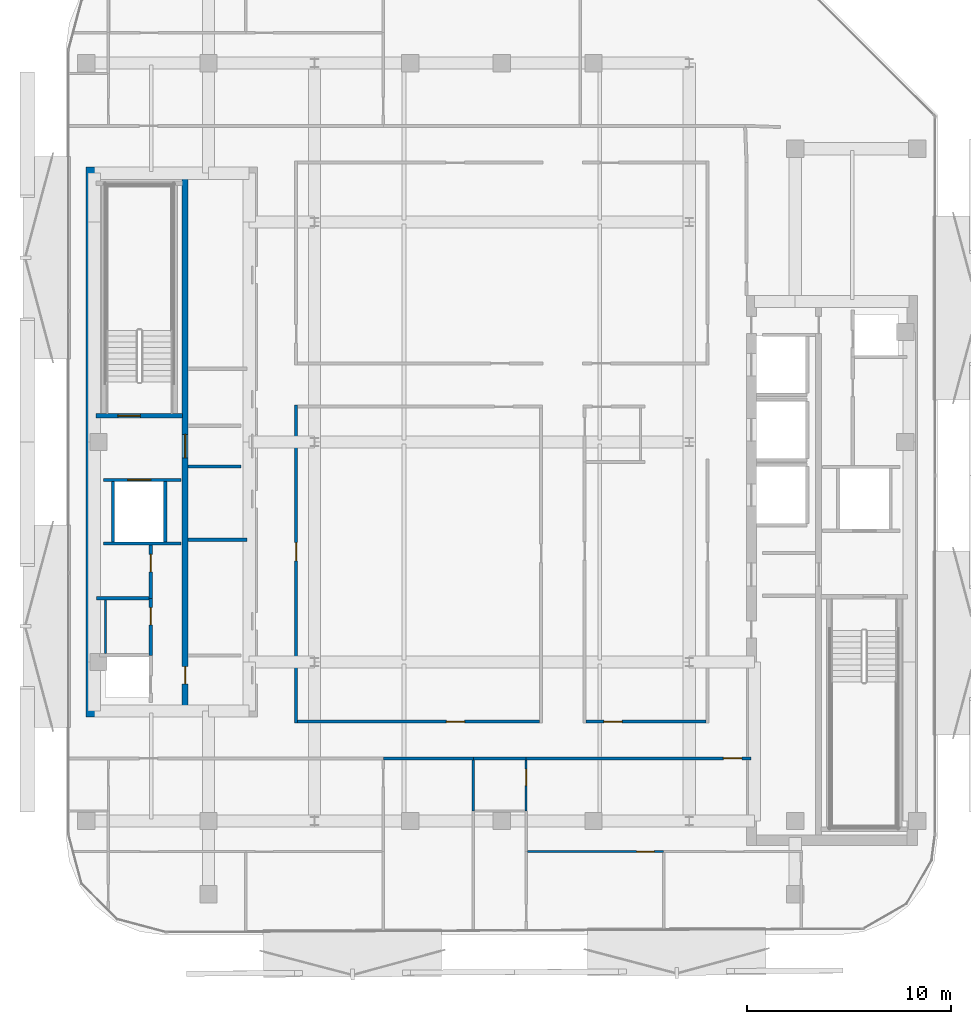
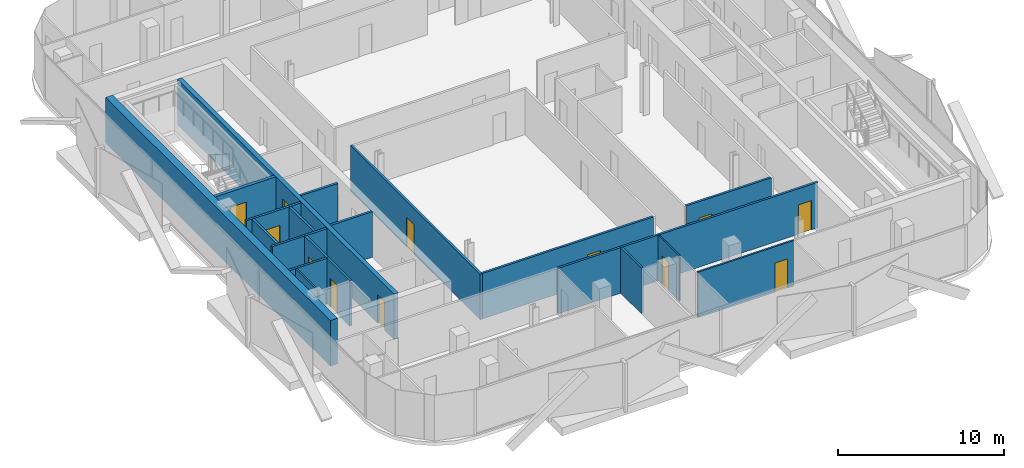
# One storey, part 3 of 15: 22 walls, 12 doors, 12 openings.
"""IFC4 building model written with IfcOpenShell, lengths in metres."""

from ifc_helpers import new_model, si_unit, direction, frame, frame_2d, origin, place, context, subcontext, project, spatial, rectangle, extrude, material, layer, layer_set, type_object, element, fill, save


model = new_model("IFC4")

# Units and contexts
model_context = context("Model", 3, precision=1e-05, world=origin(), true_north=direction((0.0, 1.0)))
body_context = subcontext(model_context, "Body", "Model", "MODEL_VIEW")
ifc_project = project(units=[si_unit("LENGTHUNIT", "METRE"), si_unit("AREAUNIT", "SQUARE_METRE"), si_unit("VOLUMEUNIT", "CUBIC_METRE"), si_unit("PLANEANGLEUNIT", "RADIAN"), si_unit("MASSUNIT", "GRAM", prefix="KILO")], contexts=[model_context])

# Site, building, storey
site_placement = place(None, origin())
site = spatial("IfcSite", under=ifc_project, at=site_placement, CompositionType="ELEMENT")
building_placement = place(site_placement, origin())
building = spatial("IfcBuilding", under=site, at=building_placement, Name="Khairoan Windgate Tower", CompositionType="ELEMENT")
storey_placement = place(building_placement, frame((0.0, 0.0, 265.60009765625)))
storey = spatial("IfcBuildingStorey", under=building, at=storey_placement, Name="L63", CompositionType="ELEMENT", Elevation=265.60009765625)

# Wall, opening, door
ifc_material_1 = material(Name="Moisture-Resistant Gypsum Partition", Category="gypsum")
ifc_layer_1 = layer(ifc_material_1, 0.10009765625, Name="Moisture-Resistant Gypsum Partition")
ifc_layer_set_1 = layer_set([ifc_layer_1], Name="Moisture-Resistant Gypsum Partition")
wall_type_1 = type_object("IfcWallType", Name="Bathroom Wet-Area Partition Wall", PredefinedType="PARTITIONING", material=ifc_layer_set_1)
wall_1_placement = place(storey_placement, frame((1.18994140625, -18.10009765625, 0.0), z_axis=(0.0, 0.0, 1.0), x_axis=(0.0, 1.0, 0.0)))
wall_1 = element("IfcWall", 1, at=wall_1_placement, inside=storey, type_object=wall_type_1, Name="L63 Interior Partition 058", PredefinedType="PARTITIONING", context=body_context, shape_type="SweptSolid", body=[
    extrude(rectangle(XDim=2.5, YDim=0.10009765625, at=frame_2d((1.25, 0.0))), origin(), (0.0, 0.0, 1.0), 3.33984375),
])
opening_1_placement = place(wall_1_placement, frame((1.239990234375, 0.0, 0.0)))
opening_1 = element("IfcOpeningElement", 2, at=opening_1_placement, cuts=wall_1, Name="Opening ID-BTH", PredefinedType="OPENING", context=body_context, shape_type="SweptSolid", body=[
    extrude(rectangle(XDim=0.800048828125, YDim=2.10009765625, at=frame_2d((0.39990234375, 1.050048828125))), frame((0.0, 0.06005859375, 0.0), z_axis=(0.0, -1.0, 0.0), x_axis=(1.0, 0.0, 0.0)), (0.0, 0.0, 1.0), 0.1201171875),
])
ifc_material_2 = material(Name="Teak Veneer Timber Leaf", Category="wood")
door_type_1 = type_object("IfcDoorType", Name="Internal Bathroom Door ID-BTH 800x2100", OperationType="NOTDEFINED", PredefinedType="DOOR", material=ifc_material_2)
door_1_placement = place(opening_1_placement, origin())
door_1 = element("IfcDoor", 3, at=door_1_placement, inside=storey, type_object=door_type_1, Name="L63 L63-45-L63-47 Door", OperationType="SINGLE_SWING_LEFT", OverallHeight=2.10009765625, OverallWidth=0.800048828125, PredefinedType="DOOR", context=body_context, shape_type="SweptSolid", body=[
    extrude(rectangle(XDim=0.800048828125, YDim=2.10009765625, at=frame_2d((0.39990234375, 1.050048828125))), frame((0.0, 0.02490234375, 0.0), z_axis=(0.0, -1.0, 0.0), x_axis=(1.0, 0.0, 0.0)), (0.0, 0.0, 1.0), 0.050048828125),
])
fill(opening_1, door_1)

# Wall
wall_2_placement = place(storey_placement, frame((-19.449951171875, -10.389892578125, 0.0), z_axis=(0.0, 0.0, 1.0), x_axis=(0.0, 1.0, 0.0)))
element("IfcWall", 4, at=wall_2_placement, inside=storey, type_object=wall_type_1, Name="L63 Wet Room Side Wall 066", PredefinedType="PARTITIONING", context=body_context, shape_type="SweptSolid", body=[
    extrude(rectangle(XDim=2.639892578125, YDim=0.10009765625, at=frame_2d((1.31982421875, 0.0))), origin(), (0.0, 0.0, 1.0), 3.33984375),
])

# Wall, opening, door
ifc_material_3 = material(Name="Concrete C40/50", Category="concrete")
ifc_layer_2 = layer(ifc_material_3, 0.159912109375, Name="Concrete C40/50")
ifc_layer_set_2 = layer_set([ifc_layer_2], Name="Concrete C40/50")
wall_type_2 = type_object("IfcWallType", Name="Core and Hoistway Enclosure Wall", PredefinedType="STANDARD", material=ifc_layer_set_2)
wall_3_placement = place(storey_placement, frame((-19.550048828125, -1.860107421875, 0.0), z_axis=(0.0, 0.0, 1.0), x_axis=(1.0, 0.0, 0.0)))
wall_3 = element("IfcWall", 5, at=wall_3_placement, inside=storey, type_object=wall_type_2, Name="L63 Core Shaft Wall SW-FL2-L63", PredefinedType="STANDARD", context=body_context, shape_type="SweptSolid", body=[
    extrude(rectangle(XDim=3.800048828125, YDim=0.159912109375, at=frame_2d((1.89990234375, 0.0))), origin(), (0.0, 0.0, 1.0), 3.33984375),
])
opening_2_placement = place(wall_3_placement, frame((1.179931640625, 0.0, 0.0)))
opening_2 = element("IfcOpeningElement", 6, at=opening_2_placement, cuts=wall_3, Name="Opening LD-FL", PredefinedType="OPENING", context=body_context, shape_type="SweptSolid", body=[
    extrude(rectangle(XDim=1.14990234375, YDim=2.199951171875, at=frame_2d((0.574951171875, 1.10009765625))), frame((0.0, 0.08984375, 0.0), z_axis=(0.0, -1.0, 0.0), x_axis=(1.0, 0.0, 0.0)), (0.0, 0.0, 1.0), 0.179931640625),
])
ifc_material_4 = material(Name="Steel S355", Category="steel")
door_type_2 = type_object("IfcDoorType", Name="Firefighting Lift Sliding Landing Door LD-FL 1150x2200", OperationType="DOUBLE_DOOR_SLIDING", PredefinedType="DOOR", material=ifc_material_4)
door_2_placement = place(opening_2_placement, origin())
door_2 = element("IfcDoor", 7, at=door_2_placement, inside=storey, type_object=door_type_2, Name="L63 Firefighting Lift FL2 Landing Door", OperationType="DOUBLE_DOOR_SLIDING", OverallHeight=2.199951171875, OverallWidth=1.14990234375, PredefinedType="DOOR", context=body_context, shape_type="SweptSolid", body=[
    extrude(rectangle(XDim=1.14990234375, YDim=2.199951171875, at=frame_2d((0.574951171875, 1.10009765625))), frame((0.0, 0.02490234375, 0.0), z_axis=(0.0, -1.0, 0.0), x_axis=(1.0, 0.0, 0.0)), (0.0, 0.0, 1.0), 0.050048828125),
])
fill(opening_2, door_2)

# Walls
wall_4_placement = place(storey_placement, frame((-19.550048828125, -4.97998046875, 0.0), z_axis=(0.0, 0.0, 1.0), x_axis=(1.0, 0.0, 0.0)))
element("IfcWall", 8, at=wall_4_placement, inside=storey, type_object=wall_type_2, Name="L63 Core Shaft Wall SW-FL2B-L63", PredefinedType="STANDARD", context=body_context, shape_type="SweptSolid", body=[
    extrude(rectangle(XDim=3.800048828125, YDim=0.159912109375, at=frame_2d((1.89990234375, 0.0))), origin(), (0.0, 0.0, 1.0), 3.33984375),
])
for number, where, z_axis, x_axis, name in (
    (9, (-19.080078125, -4.89990234375, 0.0), (0.0, 0.0, 1.0), (0.0, 1.0, 0.0), "L63 Core Shaft Wall SW-FL2W-L63"),
    (10, (-16.52001953125, -4.89990234375, 0.0), (0.0, 0.0, 1.0), (0.0, 1.0, 0.0), "L63 Core Shaft Wall SW-FL2E-L63"),
):
    element("IfcWall", number, at=place(storey_placement, frame(where, z_axis=z_axis, x_axis=x_axis)), inside=storey, type_object=wall_type_2, Name=name, PredefinedType="STANDARD", context=body_context, shape_type="SweptSolid", body=[
        extrude(rectangle(XDim=2.9599609375, YDim=0.159912109375, at=frame_2d((1.47998046875, 0.0))), origin(), (0.0, 0.0, 1.0), 3.33984375),
    ])
wall_5_placement = place(storey_placement, frame((-15.39990234375, -1.199951171875, 0.0), z_axis=(0.0, 0.0, 1.0), x_axis=(1.0, 0.0, 0.0)))
element("IfcWall", 11, at=wall_5_placement, inside=storey, type_object=wall_type_2, Name="L63 Core Shaft Wall SW-WV2-L63", PredefinedType="STANDARD", context=body_context, shape_type="SweptSolid", body=[
    extrude(rectangle(XDim=2.599853515625, YDim=0.159912109375, at=frame_2d((1.2998046875, 0.0))), origin(), (0.0, 0.0, 1.0), 3.33984375),
])
ifc_material_5 = material(Name="Acoustic Fire-Rated Gypsum Partition", Category="gypsum")
ifc_layer_3 = layer(ifc_material_5, 0.139892578125, Name="Acoustic Fire-Rated Gypsum Partition")
ifc_layer_set_3 = layer_set([ifc_layer_3], Name="Acoustic Fire-Rated Gypsum Partition")
wall_type_3 = type_object("IfcWallType", Name="Inter-Tenancy Compartment Wall", PredefinedType="PARTITIONING", material=ifc_layer_set_3)
wall_6_placement = place(storey_placement, frame((-1.39990234375, -18.10009765625, 0.0), z_axis=(0.0, 0.0, 1.0), x_axis=(0.0, 1.0, 0.0)))
element("IfcWall", 12, at=wall_6_placement, inside=storey, type_object=wall_type_3, Name="L63 Interior Partition 054", PredefinedType="PARTITIONING", context=body_context, shape_type="SweptSolid", body=[
    extrude(rectangle(XDim=2.5, YDim=0.139892578125, at=frame_2d((1.25, 0.0))), origin(), (0.0, 0.0, 1.0), 3.33984375),
])

# Wall, opening, door
ifc_material_6 = material(Name="Gypsum Stud Partition", Category="gypsum")
ifc_layer_4 = layer(ifc_material_6, 0.1201171875, Name="Gypsum Stud Partition")
ifc_layer_set_4 = layer_set([ifc_layer_4], Name="Gypsum Stud Partition")
wall_type_4 = type_object("IfcWallType", Name="Internal Room Partition Wall", PredefinedType="PARTITIONING", material=ifc_layer_set_4)
wall_7_placement = place(storey_placement, frame((1.25, -20.10009765625, 0.0), z_axis=(0.0, 0.0, 1.0), x_axis=(1.0, 0.0, 0.0)))
wall_7 = element("IfcWall", 13, at=wall_7_placement, inside=storey, type_object=wall_type_4, Name="L63 Interior Partition 061", PredefinedType="PARTITIONING", context=body_context, shape_type="SweptSolid", body=[
    extrude(rectangle(XDim=6.68994140625, YDim=0.1201171875, at=frame_2d((3.344970703125, 0.0))), origin(), (0.0, 0.0, 1.0), 3.33984375),
])
opening_3_placement = place(wall_7_placement, frame((5.3701171875, 0.0, 0.0)))
opening_3 = element("IfcOpeningElement", 14, at=opening_3_placement, cuts=wall_7, Name="Opening ID-RM", PredefinedType="OPENING", context=body_context, shape_type="SweptSolid", body=[
    extrude(rectangle(XDim=0.860107421875, YDim=2.14990234375, at=frame_2d((0.43017578125, 1.074951171875))), frame((0.0, 0.070068359375, 0.0), z_axis=(0.0, -1.0, 0.0), x_axis=(1.0, 0.0, 0.0)), (0.0, 0.0, 1.0), 0.14013671875),
])
ifc_material_7 = material(Name="Teak Veneer Timber Leaf", Category="wood")
door_type_3 = type_object("IfcDoorType", Name="Internal Bedroom and Office Door ID-RM 860x2150", OperationType="NOTDEFINED", PredefinedType="DOOR", material=ifc_material_7)
door_3_placement = place(opening_3_placement, origin())
door_3 = element("IfcDoor", 15, at=door_3_placement, inside=storey, type_object=door_type_3, Name="L63 L63-47-L63-49 Door", OperationType="SINGLE_SWING_LEFT", OverallHeight=2.14990234375, OverallWidth=0.860107421875, PredefinedType="DOOR", context=body_context, shape_type="SweptSolid", body=[
    extrude(rectangle(XDim=0.860107421875, YDim=2.14990234375, at=frame_2d((0.43017578125, 1.074951171875))), frame((0.0, 0.02490234375, 0.0), z_axis=(0.0, -1.0, 0.0), x_axis=(1.0, 0.0, 0.0)), (0.0, 0.0, 1.0), 0.050048828125),
])
fill(opening_3, door_3)

ifc_material_8 = material(Name="Concrete C40/50", Category="concrete")
ifc_layer_5 = layer(ifc_material_8, 0.159912109375, Name="Concrete C40/50")
ifc_layer_set_5 = layer_set([ifc_layer_5], Name="Concrete C40/50")
wall_type_5 = type_object("IfcWallType", Name="Plant and Refuge Compartment Wall", PredefinedType="PARTITIONING", material=ifc_layer_set_5)
wall_8_placement = place(storey_placement, frame((-17.22998046875, -10.469970703125, 0.0), z_axis=(0.0, 0.0, 1.0), x_axis=(0.0, 1.0, 0.0)))
wall_8 = element("IfcWall", 16, at=wall_8_placement, inside=storey, type_object=wall_type_5, Name="L63 Interior Partition 002", PredefinedType="PARTITIONING", context=body_context, shape_type="SweptSolid", body=[
    extrude(rectangle(XDim=2.800048828125, YDim=0.159912109375, at=frame_2d((1.39990234375, 0.0))), origin(), (0.0, 0.0, 1.0), 3.33984375),
])
opening_4_placement = place(wall_8_placement, frame((1.489990234375, 0.0, 0.0)))
opening_4 = element("IfcOpeningElement", 17, at=opening_4_placement, cuts=wall_8, Name="Opening FD-SRV", PredefinedType="OPENING", context=body_context, shape_type="SweptSolid", body=[
    extrude(rectangle(XDim=0.85009765625, YDim=2.10009765625, at=frame_2d((0.425048828125, 1.050048828125))), frame((0.0, 0.08984375, 0.0), z_axis=(0.0, -1.0, 0.0), x_axis=(1.0, 0.0, 0.0)), (0.0, 0.0, 1.0), 0.179931640625),
])
ifc_material_9 = material(Name="Steel S355", Category="steel")
door_type_4 = type_object("IfcDoorType", Name="Core Service and Riser Fire Door FD-SRV 850x2100", OperationType="NOTDEFINED", PredefinedType="DOOR", material=ifc_material_9)
door_4_placement = place(opening_4_placement, origin())
door_4 = element("IfcDoor", 18, at=door_4_placement, inside=storey, type_object=door_type_4, Name="L63 L63-04-L63-06 Door", OperationType="SINGLE_SWING_LEFT", OverallHeight=2.10009765625, OverallWidth=0.85009765625, PredefinedType="DOOR", context=body_context, shape_type="SweptSolid", body=[
    extrude(rectangle(XDim=0.85009765625, YDim=2.10009765625, at=frame_2d((0.425048828125, 1.050048828125))), frame((0.0, 0.02490234375, 0.0), z_axis=(0.0, -1.0, 0.0), x_axis=(1.0, 0.0, 0.0)), (0.0, 0.0, 1.0), 0.050048828125),
])
fill(opening_4, door_4)

wall_9_placement = place(storey_placement, frame((-17.22998046875, -7.669921875, 0.0), z_axis=(0.0, 0.0, 1.0), x_axis=(0.0, 1.0, 0.0)))
wall_9 = element("IfcWall", 19, at=wall_9_placement, inside=storey, type_object=wall_type_5, Name="L63 Interior Partition 003", PredefinedType="PARTITIONING", context=body_context, shape_type="SweptSolid", body=[
    extrude(rectangle(XDim=2.60986328125, YDim=0.159912109375, at=frame_2d((1.304931640625, 0.0))), origin(), (0.0, 0.0, 1.0), 3.33984375),
])
opening_5_placement = place(wall_9_placement, frame((1.300048828125, 0.0, 0.0)))
opening_5 = element("IfcOpeningElement", 20, at=opening_5_placement, cuts=wall_9, Name="Opening FD-SRV", PredefinedType="OPENING", context=body_context, shape_type="SweptSolid", body=[
    extrude(rectangle(XDim=0.85009765625, YDim=2.10009765625, at=frame_2d((0.425048828125, 1.050048828125))), frame((0.0, 0.08984375, 0.0), z_axis=(0.0, -1.0, 0.0), x_axis=(1.0, 0.0, 0.0)), (0.0, 0.0, 1.0), 0.179931640625),
])
door_5_placement = place(opening_5_placement, origin())
door_5 = element("IfcDoor", 21, at=door_5_placement, inside=storey, type_object=door_type_4, Name="L63 L63-04-L63-07 Door", OperationType="SINGLE_SWING_RIGHT", OverallHeight=2.10009765625, OverallWidth=0.85009765625, PredefinedType="DOOR", context=body_context, shape_type="SweptSolid", body=[
    extrude(rectangle(XDim=0.85009765625, YDim=2.10009765625, at=frame_2d((0.425048828125, 1.050048828125))), frame((0.0, 0.02490234375, 0.0), z_axis=(0.0, -1.0, 0.0), x_axis=(1.0, 0.0, 0.0)), (0.0, 0.0, 1.0), 0.050048828125),
])
fill(opening_5, door_5)

# Walls
wall_10_placement = place(storey_placement, frame((-19.89990234375, -7.669921875, 0.0), z_axis=(0.0, 0.0, 1.0), x_axis=(1.0, 0.0, 0.0)))
element("IfcWall", 22, at=wall_10_placement, inside=storey, type_object=wall_type_5, Name="L63 Interior Partition 005", PredefinedType="PARTITIONING", context=body_context, shape_type="SweptSolid", body=[
    extrude(rectangle(XDim=2.58984375, YDim=0.159912109375, at=frame_2d((1.294921875, 0.0))), origin(), (0.0, 0.0, 1.0), 3.33984375),
])
wall_11_placement = place(storey_placement, frame((-15.39990234375, -4.800048828125, 0.0), z_axis=(0.0, 0.0, 1.0), x_axis=(1.0, 0.0, 0.0)))
element("IfcWall", 23, at=wall_11_placement, inside=storey, type_object=wall_type_5, Name="L63 Interior Partition 007", PredefinedType="PARTITIONING", context=body_context, shape_type="SweptSolid", body=[
    extrude(rectangle(XDim=2.89990234375, YDim=0.159912109375, at=frame_2d((1.449951171875, 0.0))), origin(), (0.0, 0.0, 1.0), 3.33984375),
])

# Wall, opening, door
ifc_material_10 = material(Name="Acoustic Fire-Rated Gypsum Partition", Category="gypsum")
ifc_layer_6 = layer(ifc_material_10, 0.14990234375, Name="Acoustic Fire-Rated Gypsum Partition")
ifc_layer_set_6 = layer_set([ifc_layer_6], Name="Acoustic Fire-Rated Gypsum Partition")
wall_type_6 = type_object("IfcWallType", Name="Rated Corridor Partition Wall", PredefinedType="PARTITIONING", material=ifc_layer_set_6)
wall_12_placement = place(storey_placement, frame((-10.10009765625, -13.794921875, 0.0), z_axis=(0.0, 0.0, 1.0), x_axis=(0.0, 1.0, 0.0)))
wall_12 = element("IfcWall", 24, at=wall_12_placement, inside=storey, type_object=wall_type_6, Name="L63 Interior Partition 012", PredefinedType="PARTITIONING", context=body_context, shape_type="SweptSolid", body=[
    extrude(rectangle(XDim=15.60498046875, YDim=0.14990234375, at=frame_2d((7.802490234375, 0.0))), origin(), (0.0, 0.0, 1.0), 3.33984375),
])
opening_6_placement = place(wall_12_placement, frame((7.960693359375, 0.0, 0.0)))
opening_6 = element("IfcOpeningElement", 25, at=opening_6_placement, cuts=wall_12, Name="Opening FD-ENT", PredefinedType="OPENING", context=body_context, shape_type="SweptSolid", body=[
    extrude(rectangle(XDim=0.89990234375, YDim=2.14990234375, at=frame_2d((0.449951171875, 1.074951171875))), frame((0.0, 0.0849609375, 0.0), z_axis=(0.0, -1.0, 0.0), x_axis=(1.0, 0.0, 0.0)), (0.0, 0.0, 1.0), 0.169921875),
])
ifc_material_11 = material(Name="Timber Fire-Rated Core", Category="wood")
door_type_5 = type_object("IfcDoorType", Name="Unit and Office Fire Entrance Door FD-ENT 900x2150", OperationType="NOTDEFINED", PredefinedType="DOOR", material=ifc_material_11)
door_6_placement = place(opening_6_placement, origin())
door_6 = element("IfcDoor", 26, at=door_6_placement, inside=storey, type_object=door_type_5, Name="L63 L63-26-L63-53 Door", OperationType="SINGLE_SWING_RIGHT", OverallHeight=2.14990234375, OverallWidth=0.89990234375, PredefinedType="DOOR", context=body_context, shape_type="SweptSolid", body=[
    extrude(rectangle(XDim=0.89990234375, YDim=2.14990234375, at=frame_2d((0.449951171875, 1.074951171875))), frame((0.0, 0.02490234375, 0.0), z_axis=(0.0, -1.0, 0.0), x_axis=(1.0, 0.0, 0.0)), (0.0, 0.0, 1.0), 0.050048828125),
])
fill(opening_6, door_6)

# Walls
wall_13_placement = place(storey_placement, frame((-5.81005859375, -15.52490234375, 0.0), z_axis=(0.0, 0.0, 1.0), x_axis=(1.0, 0.0, 0.0)))
element("IfcWall", 27, at=wall_13_placement, inside=storey, type_object=wall_type_6, Name="L63 Interior Partition 030", PredefinedType="PARTITIONING", context=body_context, shape_type="SweptSolid", body=[
    extrude(rectangle(XDim=4.41015625, YDim=0.14990234375, at=frame_2d((2.205078125, 0.0))), origin(), (0.0, 0.0, 1.0), 3.33984375),
])
wall_14_placement = place(storey_placement, frame((-1.39990234375, -15.52490234375, 0.0), z_axis=(0.0, 0.0, 1.0), x_axis=(1.0, 0.0, 0.0)))
element("IfcWall", 28, at=wall_14_placement, inside=storey, type_object=wall_type_6, Name="L63 Interior Partition 031", PredefinedType="PARTITIONING", context=body_context, shape_type="SweptSolid", body=[
    extrude(rectangle(XDim=2.58984375, YDim=0.14990234375, at=frame_2d((1.294921875, 0.0))), origin(), (0.0, 0.0, 1.0), 3.33984375),
])

# Wall, opening, door
wall_15_placement = place(storey_placement, frame((1.18994140625, -15.52490234375, 0.0), z_axis=(0.0, 0.0, 1.0), x_axis=(1.0, 0.0, 0.0)))
wall_15 = element("IfcWall", 29, at=wall_15_placement, inside=storey, type_object=wall_type_6, Name="L63 Interior Partition 032", PredefinedType="PARTITIONING", context=body_context, shape_type="SweptSolid", body=[
    extrude(rectangle(XDim=11.050048828125, YDim=0.14990234375, at=frame_2d((5.52490234375, 0.0))), origin(), (0.0, 0.0, 1.0), 3.33984375),
])
opening_7_placement = place(wall_15_placement, frame((9.68994140625, 0.0, 0.0)))
opening_7 = element("IfcOpeningElement", 30, at=opening_7_placement, cuts=wall_15, Name="Opening FD-ENT", PredefinedType="OPENING", context=body_context, shape_type="SweptSolid", body=[
    extrude(rectangle(XDim=0.89990234375, YDim=2.14990234375, at=frame_2d((0.449951171875, 1.074951171875))), frame((0.0, 0.0849609375, 0.0), z_axis=(0.0, -1.0, 0.0), x_axis=(1.0, 0.0, 0.0)), (0.0, 0.0, 1.0), 0.169921875),
])
door_7_placement = place(opening_7_placement, origin())
door_7 = element("IfcDoor", 31, at=door_7_placement, inside=storey, type_object=door_type_5, Name="L63 L63-31-L63-47 Door", OperationType="SINGLE_SWING_RIGHT", OverallHeight=2.14990234375, OverallWidth=0.89990234375, PredefinedType="DOOR", context=body_context, shape_type="SweptSolid", body=[
    extrude(rectangle(XDim=0.89990234375, YDim=2.14990234375, at=frame_2d((0.449951171875, 1.074951171875))), frame((0.0, 0.02490234375, 0.0), z_axis=(0.0, -1.0, 0.0), x_axis=(1.0, 0.0, 0.0)), (0.0, 0.0, 1.0), 0.050048828125),
])
fill(opening_7, door_7)

wall_16_placement = place(storey_placement, frame((-10.02490234375, -13.719970703125, 0.0), z_axis=(0.0, 0.0, 1.0), x_axis=(1.0, 0.0, 0.0)))
wall_16 = element("IfcWall", 32, at=wall_16_placement, inside=storey, type_object=wall_type_6, Name="L63 Interior Partition 033", PredefinedType="PARTITIONING", context=body_context, shape_type="SweptSolid", body=[
    extrude(rectangle(XDim=11.885009765625, YDim=0.14990234375, at=frame_2d((5.9423828125, 0.0))), origin(), (0.0, 0.0, 1.0), 3.33984375),
])
opening_8_placement = place(wall_16_placement, frame((7.30419921875, 0.0, 0.0)))
opening_8 = element("IfcOpeningElement", 33, at=opening_8_placement, cuts=wall_16, Name="Opening FD-ENT", PredefinedType="OPENING", context=body_context, shape_type="SweptSolid", body=[
    extrude(rectangle(XDim=0.89990234375, YDim=2.14990234375, at=frame_2d((0.449951171875, 1.074951171875))), frame((0.0, 0.0849609375, 0.0), z_axis=(0.0, -1.0, 0.0), x_axis=(1.0, 0.0, 0.0)), (0.0, 0.0, 1.0), 0.169921875),
])
door_8_placement = place(opening_8_placement, origin())
door_8 = element("IfcDoor", 34, at=door_8_placement, inside=storey, type_object=door_type_5, Name="L63 L63-31-L63-53 Door", OperationType="SINGLE_SWING_LEFT", OverallHeight=2.14990234375, OverallWidth=0.89990234375, PredefinedType="DOOR", context=body_context, shape_type="SweptSolid", body=[
    extrude(rectangle(XDim=0.89990234375, YDim=2.14990234375, at=frame_2d((0.449951171875, 1.074951171875))), frame((0.0, 0.02490234375, 0.0), z_axis=(0.0, -1.0, 0.0), x_axis=(1.0, 0.0, 0.0)), (0.0, 0.0, 1.0), 0.050048828125),
])
fill(opening_8, door_8)

wall_17_placement = place(storey_placement, frame((4.139892578125, -13.719970703125, 0.0), z_axis=(0.0, 0.0, 1.0), x_axis=(1.0, 0.0, 0.0)))
wall_17 = element("IfcWall", 35, at=wall_17_placement, inside=storey, type_object=wall_type_6, Name="L63 Interior Partition 034", PredefinedType="PARTITIONING", context=body_context, shape_type="SweptSolid", body=[
    extrude(rectangle(XDim=5.885009765625, YDim=0.14990234375, at=frame_2d((2.9423828125, 0.0))), origin(), (0.0, 0.0, 1.0), 3.33984375),
])
opening_9_placement = place(wall_17_placement, frame((0.866455078125, 0.0, 0.0)))
opening_9 = element("IfcOpeningElement", 36, at=opening_9_placement, cuts=wall_17, Name="Opening FD-ENT", PredefinedType="OPENING", context=body_context, shape_type="SweptSolid", body=[
    extrude(rectangle(XDim=0.89990234375, YDim=2.14990234375, at=frame_2d((0.449951171875, 1.074951171875))), frame((0.0, 0.0849609375, 0.0), z_axis=(0.0, -1.0, 0.0), x_axis=(1.0, 0.0, 0.0)), (0.0, 0.0, 1.0), 0.169921875),
])
door_9_placement = place(opening_9_placement, origin())
door_9 = element("IfcDoor", 37, at=door_9_placement, inside=storey, type_object=door_type_5, Name="L63 L63-31-L63-56 Door", OperationType="SINGLE_SWING_RIGHT", OverallHeight=2.14990234375, OverallWidth=0.89990234375, PredefinedType="DOOR", context=body_context, shape_type="SweptSolid", body=[
    extrude(rectangle(XDim=0.89990234375, YDim=2.14990234375, at=frame_2d((0.449951171875, 1.074951171875))), frame((0.0, 0.02490234375, 0.0), z_axis=(0.0, -1.0, 0.0), x_axis=(1.0, 0.0, 0.0)), (0.0, 0.0, 1.0), 0.050048828125),
])
fill(opening_9, door_9)

# Wall
ifc_material_12 = material(Name="Concrete C50/60", Category="concrete")
ifc_layer_7 = layer(ifc_material_12, 0.5, Name="Concrete C50/60")
ifc_layer_set_7 = layer_set([ifc_layer_7], Name="Concrete C50/60")
wall_type_7 = type_object("IfcWallType", Name="Shear Wall CW-W3 500mm", PredefinedType="SHEAR", material=ifc_layer_set_7)
wall_18_placement = place(storey_placement, frame((-20.14990234375, -13.5, 0.0), z_axis=(0.0, 0.0, 1.0), x_axis=(0.0, 1.0, 0.0)))
element("IfcWall", 38, at=wall_18_placement, inside=storey, type_object=wall_type_7, Name="W Core West Shear Wall L63", PredefinedType="SHEAR", context=body_context, shape_type="SweptSolid", body=[
    extrude(rectangle(XDim=27.0, YDim=0.5, at=frame_2d((13.5, 0.0))), origin(), (0.0, 0.0, 1.0), 3.33984375),
])

# Wall, openings, doors
ifc_material_13 = material(Name="Concrete C50/60", Category="concrete")
ifc_layer_8 = layer(ifc_material_13, 0.300048828125, Name="Concrete C50/60")
ifc_layer_set_8 = layer_set([ifc_layer_8], Name="Concrete C50/60")
wall_type_8 = type_object("IfcWallType", Name="Shear Wall SW-2 300mm", PredefinedType="SHEAR", material=ifc_layer_set_8)
wall_19_placement = place(storey_placement, frame((-15.550048828125, -13.0, 0.0), z_axis=(0.0, 0.0, 1.0), x_axis=(0.0, 1.0, 0.0)))
wall_19 = element("IfcWall", 39, at=wall_19_placement, inside=storey, type_object=wall_type_8, Name="W Core Spine Shear Wall L63", PredefinedType="SHEAR", context=body_context, shape_type="SweptSolid", body=[
    extrude(rectangle(XDim=26.0, YDim=0.300048828125, at=frame_2d((13.0, 0.0))), origin(), (0.0, 0.0, 1.0), 3.33984375),
])
opening_10_placement = place(wall_19_placement, frame((12.22509765625, 0.0, 0.0)))
opening_10 = element("IfcOpeningElement", 40, at=opening_10_placement, cuts=wall_19, Name="Opening FD-FFL", PredefinedType="OPENING", context=body_context, shape_type="SweptSolid", body=[
    extrude(rectangle(XDim=1.14990234375, YDim=2.199951171875, at=frame_2d((0.574951171875, 1.10009765625))), frame((0.0, 0.159912109375, 0.0), z_axis=(0.0, -1.0, 0.0), x_axis=(1.0, 0.0, 0.0)), (0.0, 0.0, 1.0), 0.320068359375),
])
opening_11_placement = place(wall_19_placement, frame((1.125, 0.0, 0.0)))
opening_11 = element("IfcOpeningElement", 41, at=opening_11_placement, cuts=wall_19, Name="Opening FD-SRV", PredefinedType="OPENING", context=body_context, shape_type="SweptSolid", body=[
    extrude(rectangle(XDim=0.85009765625, YDim=2.10009765625, at=frame_2d((0.425048828125, 1.050048828125))), frame((0.0, 0.159912109375, 0.0), z_axis=(0.0, -1.0, 0.0), x_axis=(1.0, 0.0, 0.0)), (0.0, 0.0, 1.0), 0.320068359375),
])
door_10_placement = place(opening_11_placement, origin())
door_10 = element("IfcDoor", 42, at=door_10_placement, inside=storey, type_object=door_type_4, Name="L63 West Core Service Passage Inner Door", OperationType="SINGLE_SWING_LEFT", OverallHeight=2.10009765625, OverallWidth=0.85009765625, PredefinedType="DOOR", context=body_context, shape_type="SweptSolid", body=[
    extrude(rectangle(XDim=0.85009765625, YDim=2.10009765625, at=frame_2d((0.425048828125, 1.050048828125))), frame((0.0, 0.02490234375, 0.0), z_axis=(0.0, -1.0, 0.0), x_axis=(1.0, 0.0, 0.0)), (0.0, 0.0, 1.0), 0.050048828125),
])
fill(opening_11, door_10)
ifc_material_14 = material(Name="Steel S355", Category="steel")
door_type_6 = type_object("IfcDoorType", Name="Firefighting Lobby Fire Door FD-FFL 1150x2200", OperationType="NOTDEFINED", PredefinedType="DOOR", material=ifc_material_14)
door_11_placement = place(opening_10_placement, origin())
door_11 = element("IfcDoor", 43, at=door_11_placement, inside=storey, type_object=door_type_6, Name="L63 West Firefighting Lobby Fire Door", OperationType="SINGLE_SWING_LEFT", OverallHeight=2.199951171875, OverallWidth=1.14990234375, PredefinedType="DOOR", context=body_context, shape_type="SweptSolid", body=[
    extrude(rectangle(XDim=1.14990234375, YDim=2.199951171875, at=frame_2d((0.574951171875, 1.10009765625))), frame((0.0, 0.02490234375, 0.0), z_axis=(0.0, -1.0, 0.0), x_axis=(1.0, 0.0, 0.0)), (0.0, 0.0, 1.0), 0.050048828125),
])
fill(opening_10, door_11)

# Wall, opening, door
ifc_material_15 = material(Name="Concrete C50/60", Category="concrete")
ifc_layer_9 = layer(ifc_material_15, 0.219970703125, Name="Concrete C50/60")
ifc_layer_set_9 = layer_set([ifc_layer_9], Name="Concrete C50/60")
wall_type_9 = type_object("IfcWallType", Name="Shear Wall SW-ST 220mm", PredefinedType="SHEAR", material=ifc_layer_set_9)
wall_20_placement = place(storey_placement, frame((-19.919921875, 1.2900390625, 0.0), z_axis=(0.0, 0.0, 1.0), x_axis=(1.0, 0.0, 0.0)))
wall_20 = element("IfcWall", 44, at=wall_20_placement, inside=storey, type_object=wall_type_9, Name="L63 Stair ST2 South Bearing Wall", PredefinedType="SHEAR", context=body_context, shape_type="SweptSolid", body=[
    extrude(rectangle(XDim=4.239990234375, YDim=0.219970703125, at=frame_2d((2.1201171875, 0.0))), origin(), (0.0, 0.0, 1.0), 3.33984375),
])
opening_12_placement = place(wall_20_placement, frame((1.080078125, 0.0, 0.0)))
opening_12 = element("IfcOpeningElement", 45, at=opening_12_placement, cuts=wall_20, Name="Opening FD-ST", PredefinedType="OPENING", context=body_context, shape_type="SweptSolid", body=[
    extrude(rectangle(XDim=1.10009765625, YDim=2.199951171875, at=frame_2d((0.550048828125, 1.10009765625))), frame((0.0, 0.119873046875, 0.0), z_axis=(0.0, -1.0, 0.0), x_axis=(1.0, 0.0, 0.0)), (0.0, 0.0, 1.0), 0.239990234375),
])
ifc_material_16 = material(Name="Steel S355", Category="steel")
door_type_7 = type_object("IfcDoorType", Name="Smokeproof Stair Fire Door FD-ST 1100x2200", OperationType="NOTDEFINED", PredefinedType="DOOR", material=ifc_material_16)
door_12_placement = place(opening_12_placement, origin())
door_12 = element("IfcDoor", 46, at=door_12_placement, inside=storey, type_object=door_type_7, Name="L63 Stair ST2 Fire Door", OperationType="SINGLE_SWING_RIGHT", OverallHeight=2.199951171875, OverallWidth=1.10009765625, PredefinedType="DOOR", context=body_context, shape_type="SweptSolid", body=[
    extrude(rectangle(XDim=1.10009765625, YDim=2.199951171875, at=frame_2d((0.550048828125, 1.10009765625))), frame((0.0, 0.02490234375, 0.0), z_axis=(0.0, -1.0, 0.0), x_axis=(1.0, 0.0, 0.0)), (0.0, 0.0, 1.0), 0.050048828125),
])
fill(opening_12, door_12)

save(model, "model.ifc")
